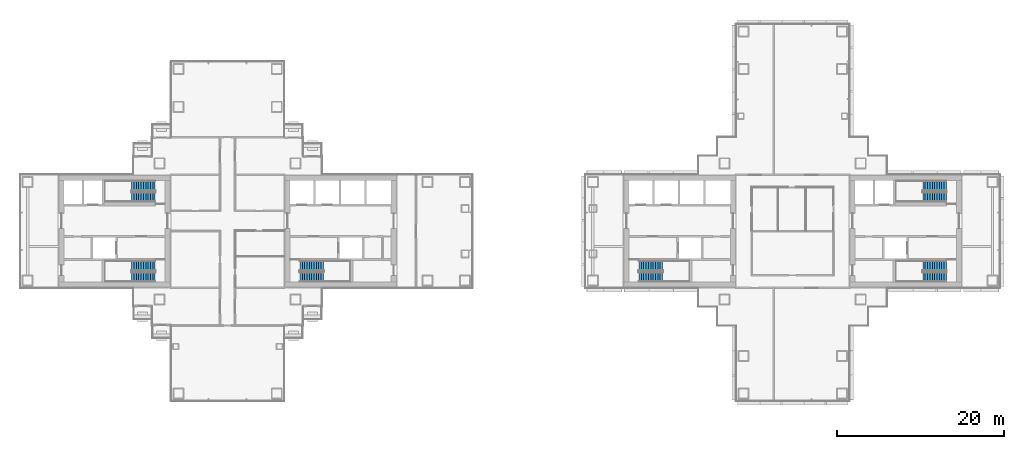
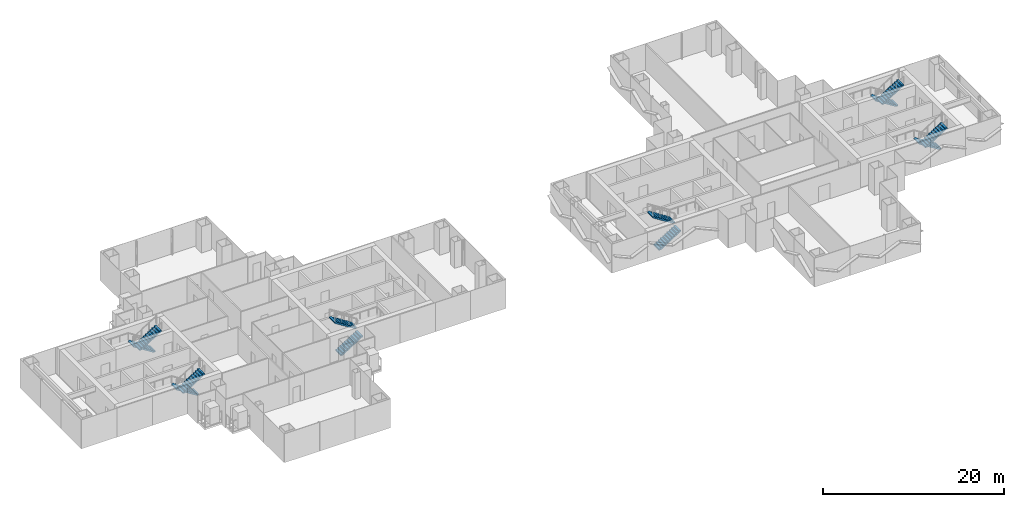
# One storey, part 16 of 20: 12 stair flights, 6 elements without a shape of their own.
"""IFC4 building model written with IfcOpenShell, lengths in metres."""

import ifcopenshell
import ifcopenshell.guid

model = None  # the IFC model being written
_history = None  # IfcOwnerHistory: only IFC2X3 demands one
_inside = {}  # id of a spatial element -> (the spatial element, [elements in it])
_under = {}  # id of a project, library or spatial element -> (it, [spatial elements below it])
_declared = {}  # id of a project -> (the project, [libraries it declares])
_typed = {}  # id of a type object -> (the type object, [elements of that type])
_made_of = {}  # id of a material, layer set ... -> (it, [elements and type objects made of it])


def new_model(schema):
    """Start an empty IFC model of exactly this schema.

    Asked for "IFC4X3", IfcOpenShell would pick the latest addendum, in which some entities
    have other attributes; the version numbers below select the first issue.
    IFC2X3 requires an IfcOwnerHistory on every rooted entity: one is made here for all.
    """
    global model, _history
    if schema == "IFC4X3":
        model = ifcopenshell.file(schema_version=(4, 3, 0, 0))
    else:
        model = ifcopenshell.file(schema=schema)
    _inside.clear()
    _under.clear()
    _declared.clear()
    _typed.clear()
    _made_of.clear()
    _history = None
    if model.schema == "IFC2X3":
        org = make("IfcOrganization", Name="unknown")
        user = make(
            "IfcPersonAndOrganization",
            ThePerson=make("IfcPerson", FamilyName="unknown"),
            TheOrganization=org,
        )
        app = make(
            "IfcApplication",
            ApplicationDeveloper=org,
            Version="unknown",
            ApplicationFullName="unknown",
            ApplicationIdentifier="unknown",
        )
        _history = make(
            "IfcOwnerHistory",
            OwningUser=user,
            OwningApplication=app,
            ChangeAction="ADDED",
            CreationDate=0,
        )
    return model


def make(cls, **values):
    """One entity of the class cls with the attributes given. An attribute that is None is left unset."""
    return model.create_entity(
        cls, **{name: value for name, value in values.items() if value is not None}
    )


def rooted(cls, **values):
    """An entity with a GlobalId (a new one), such as an element, a storey or a relation."""
    return make(cls, GlobalId=ifcopenshell.guid.new(), OwnerHistory=_history, **values)


def si_unit(unit_type, name, prefix=None):
    """IfcSIUnit, for example si_unit("LENGTHUNIT", "METRE", prefix="MILLI")."""
    return make("IfcSIUnit", UnitType=unit_type, Prefix=prefix, Name=name)


def assignment(units):
    """IfcUnitAssignment: the units of a project."""
    return None if units is None else make("IfcUnitAssignment", Units=units)


def point(xyz):
    """IfcCartesianPoint."""
    return None if xyz is None else make("IfcCartesianPoint", Coordinates=xyz)


def direction(xyz):
    """IfcDirection."""
    return None if xyz is None else make("IfcDirection", DirectionRatios=xyz)


def frame(location, z_axis=None, x_axis=None):
    """IfcAxis2Placement3D, a coordinate frame: its origin and axes. An axis left out is left unset."""
    return make(
        "IfcAxis2Placement3D",
        Location=point(location),
        Axis=direction(z_axis),
        RefDirection=direction(x_axis),
    )


def origin():
    """The frame at (0, 0, 0) with its axes left unset."""
    return frame((0.0, 0.0, 0.0))


def place(relative_to, where):
    """IfcLocalPlacement: puts the frame where relative to a parent placement (None: the world)."""
    return make(
        "IfcLocalPlacement", PlacementRelTo=relative_to, RelativePlacement=where
    )


def context(
    kind, dimensions, precision=None, world=None, true_north=None, identifier=None
):
    """IfcGeometricRepresentationContext, for example the 3D "Model" context."""
    return make(
        "IfcGeometricRepresentationContext",
        ContextIdentifier=identifier,
        ContextType=kind,
        CoordinateSpaceDimension=dimensions,
        Precision=precision,
        WorldCoordinateSystem=world,
        TrueNorth=true_north,
    )


def subcontext(parent, identifier, kind, view, scale=None):
    """IfcGeometricRepresentationSubContext, for example "Body" below "Model"."""
    return make(
        "IfcGeometricRepresentationSubContext",
        ContextIdentifier=identifier,
        ContextType=kind,
        ParentContext=parent,
        TargetScale=scale,
        TargetView=view,
    )


def project(units=None, contexts=None):
    """IfcProject with its units and contexts."""
    return rooted(
        "IfcProject",
        Name="project",
        RepresentationContexts=contexts,
        UnitsInContext=assignment(units),
    )


def spatial(cls, under=None, at=None, **own):
    """A site, building, storey or space (cls), placed at a placement, below another one or the project."""
    s = rooted(cls, ObjectPlacement=at, **own)
    if under is not None:
        _under.setdefault(under.id(), (under, []))[1].append(s)
    return s


def polyline(points):
    """IfcPolyline through the points."""
    return make("IfcPolyline", Points=[point(p) for p in points])


def outline(outer, holes=None, kind="AREA"):
    """IfcArbitraryClosedProfileDef: a profile drawn as a closed curve; with holes, ...WithVoids."""
    if holes is None:
        return make("IfcArbitraryClosedProfileDef", ProfileType=kind, OuterCurve=outer)
    return make(
        "IfcArbitraryProfileDefWithVoids",
        ProfileType=kind,
        OuterCurve=outer,
        InnerCurves=holes,
    )


def extrude(swept, where, along, depth):
    """IfcExtrudedAreaSolid: the profile swept, set in the frame where, extruded along a direction by depth."""
    return make(
        "IfcExtrudedAreaSolid",
        SweptArea=swept,
        Position=where,
        ExtrudedDirection=direction(along),
        Depth=depth,
    )


def shape(context_of_items, identifier, shape_type, items):
    """IfcShapeRepresentation: the items that make up one representation, for example the "Body"."""
    return make(
        "IfcShapeRepresentation",
        ContextOfItems=context_of_items,
        RepresentationIdentifier=identifier,
        RepresentationType=shape_type,
        Items=items,
    )


def material(Name=None, Category=None):
    """IfcMaterial."""
    return make("IfcMaterial", Name=Name, Category=Category)


def made_of(thing, what):
    """Note that an element or type object is made of a material, layer set ...; save() writes the relation."""
    if what is not None:
        _made_of.setdefault(what.id(), (what, []))[1].append(thing)
    return thing


def type_object(cls, material=None, **own):
    """A type object (cls), such as IfcWallType, which elements share."""
    return made_of(rooted(cls, **own), material)


def element(
    cls,
    number,
    at=None,
    inside=None,
    cuts=None,
    type_object=None,
    material=None,
    context=None,
    identifier="Body",
    shape_type=None,
    held_by="IfcProductDefinitionShape",
    body=None,
    shapes=None,
    **own,
):
    """One element of the class cls, such as IfcWall. Its Tag is "e" and its number.

    at: its placement. inside: the storey or other place that contains it. cuts: it is an
    opening in that element (IfcRelVoidsElement). A single representation is given by context,
    identifier, shape_type and body (its items); several are given by shapes. held_by: the class
    of the entity that holds the representations. save() writes the other relations.
    """
    e = rooted(cls, Tag="e%d" % number, ObjectPlacement=at, **own)
    if body is not None:
        shapes = [shape(context, identifier, shape_type, body)]
    if shapes is not None:
        e.Representation = make(held_by, Representations=shapes)
    if inside is not None:
        _inside.setdefault(inside.id(), (inside, []))[1].append(e)
    if cuts is not None:
        rooted(
            "IfcRelVoidsElement", RelatingBuildingElement=cuts, RelatedOpeningElement=e
        )
    if type_object is not None:
        _typed.setdefault(type_object.id(), (type_object, []))[1].append(e)
    return made_of(e, material)


def aggregate(whole, parts):
    """IfcRelAggregates: a whole, such as a stair, and the parts it consists of."""
    return rooted("IfcRelAggregates", RelatingObject=whole, RelatedObjects=parts)


def save(model, path):
    """Write the relations noted so far, then the file.

    IfcRelAggregates (storeys below a building ...), IfcRelContainedInSpatialStructure (elements
    in a storey), IfcRelDefinesByType, IfcRelAssociatesMaterial and IfcRelDeclares: one each for
    every whole, place, type object, material and project.
    """
    for whole, parts in _under.values():
        aggregate(whole, parts)
    for where, things in _inside.values():
        rooted(
            "IfcRelContainedInSpatialStructure",
            RelatedElements=things,
            RelatingStructure=where,
        )
    for kind, things in _typed.values():
        rooted("IfcRelDefinesByType", RelatedObjects=things, RelatingType=kind)
    for what, things in _made_of.values():
        rooted("IfcRelAssociatesMaterial", RelatedObjects=things, RelatingMaterial=what)
    for by, libraries in _declared.values():
        rooted("IfcRelDeclares", RelatingContext=by, RelatedDefinitions=libraries)
    model.write(path)


model = new_model("IFC4")

# Units and contexts
model_context = context("Model", 3, precision=1e-05, world=origin(), true_north=direction((0.0, 1.0)))
body_context = subcontext(model_context, "Body", "Model", "MODEL_VIEW")
ifc_project = project(units=[si_unit("LENGTHUNIT", "METRE"), si_unit("AREAUNIT", "SQUARE_METRE"), si_unit("VOLUMEUNIT", "CUBIC_METRE"), si_unit("PLANEANGLEUNIT", "RADIAN"), si_unit("MASSUNIT", "GRAM", prefix="KILO")], contexts=[model_context])

# Site, building, storey
site_placement = place(None, origin())
site = spatial("IfcSite", under=ifc_project, at=site_placement, CompositionType="ELEMENT")
building_placement = place(site_placement, origin())
building = spatial("IfcBuilding", under=site, at=building_placement, Name="Shamsa Quay Exchange Towers", CompositionType="ELEMENT")
storey_placement = place(building_placement, frame((0.0, 0.0, 105.300048828125)))
storey = spatial("IfcBuildingStorey", under=building, at=storey_placement, Name="L24", CompositionType="ELEMENT", Elevation=105.300048828125)

# Stair, stair flights
ifc_material = material(Name="Concrete C40/50", Category="concrete")
stair_type = type_object("IfcStairType", Name="EXIT STAIR 22 RISERS 177 MM", PredefinedType="HALF_TURN_STAIR", material=ifc_material)
stair_1_placement = place(storey_placement, origin())
stair_1 = element("IfcStair", 1, at=stair_1_placement, inside=storey, type_object=stair_type, Name="L24 Exit stair ST1", PredefinedType="HALF_TURN_STAIR")
stair_flight_type = type_object("IfcStairFlightType", Name="EXIT STAIR FLIGHT 11 RISERS 177 MM", PredefinedType="STRAIGHT", material=ifc_material)
stair_flight_1_placement = place(storey_placement, frame((-25.10009765625, -5.449951171875, 0.0)))
stair_flight_1 = element("IfcStairFlight", 2, at=stair_flight_1_placement, type_object=stair_flight_type, Name="ST1 flight 1", NumberOfRisers=11, NumberOfTreads=10, PredefinedType="STRAIGHT", RiserHeight=0.177272727, TreadLength=0.28, context=body_context, shape_type="SweptSolid", body=[
    extrude(outline(polyline([(0.0, 0.0), (0.0, 0.17724609375), (0.280029296875, 0.17724609375), (0.280029296875, 0.3544921875), (0.56005859375, 0.3544921875), (0.56005859375, 0.53173828125), (0.840087890625, 0.53173828125), (0.840087890625, 0.708984375), (1.1201171875, 0.708984375), (1.1201171875, 0.886474609375), (1.39990234375, 0.886474609375), (1.39990234375, 1.063720703125), (1.679931640625, 1.063720703125), (1.679931640625, 1.240966796875), (1.9599609375, 1.240966796875), (1.9599609375, 1.418212890625), (2.239990234375, 1.418212890625), (2.239990234375, 1.595458984375), (2.52001953125, 1.595458984375), (2.52001953125, 1.772705078125), (2.800048828125, 1.772705078125), (2.800048828125, 1.949951171875), (2.800048828125, 1.607177734375), (0.261474609375, 0.0), (0.0, 0.0)])), frame((0.0, 0.60009765625, 0.0), z_axis=(0.0, -1.0, 0.0), x_axis=(1.0, 0.0, 0.0)), (0.0, 0.0, 1.0), 1.199951171875),
])
stair_flight_2_placement = place(storey_placement, frame((-22.300048828125, -4.10009765625, 1.949951171875), z_axis=(0.0, 0.0, 1.0), x_axis=(-1.0, 0.0, 0.0)))
stair_flight_2 = element("IfcStairFlight", 3, at=stair_flight_2_placement, type_object=stair_flight_type, Name="ST1 flight 2", NumberOfRisers=11, NumberOfTreads=10, PredefinedType="STRAIGHT", RiserHeight=0.177272727, TreadLength=0.28, context=body_context, shape_type="SweptSolid", body=[
    extrude(outline(polyline([(0.0, 0.0), (0.0, 0.17724609375), (0.280029296875, 0.17724609375), (0.280029296875, 0.3544921875), (0.56005859375, 0.3544921875), (0.56005859375, 0.53173828125), (0.840087890625, 0.53173828125), (0.840087890625, 0.708984375), (1.1201171875, 0.708984375), (1.1201171875, 0.886474609375), (1.39990234375, 0.886474609375), (1.39990234375, 1.063720703125), (1.679931640625, 1.063720703125), (1.679931640625, 1.240966796875), (1.9599609375, 1.240966796875), (1.9599609375, 1.418212890625), (2.239990234375, 1.418212890625), (2.239990234375, 1.595458984375), (2.52001953125, 1.595458984375), (2.52001953125, 1.772705078125), (2.800048828125, 1.772705078125), (2.800048828125, 1.949951171875), (2.800048828125, 1.607177734375), (0.261474609375, 0.0), (0.0, 0.0)])), frame((0.0, 0.60009765625, 0.0), z_axis=(0.0, -1.0, 0.0), x_axis=(1.0, 0.0, 0.0)), (0.0, 0.0, 1.0), 1.199951171875),
])
aggregate(stair_1, [stair_flight_1, stair_flight_2])

stair_2_placement = place(storey_placement, origin())
stair_2 = element("IfcStair", 4, at=stair_2_placement, inside=storey, type_object=stair_type, Name="L24 Exit stair ST2", PredefinedType="HALF_TURN_STAIR")
stair_flight_3_placement = place(storey_placement, frame((-42.39990234375, -4.10009765625, 0.0), z_axis=(0.0, 0.0, 1.0), x_axis=(-1.0, 0.0, 0.0)))
stair_flight_3 = element("IfcStairFlight", 5, at=stair_flight_3_placement, type_object=stair_flight_type, Name="ST2 flight 1", NumberOfRisers=11, NumberOfTreads=10, PredefinedType="STRAIGHT", RiserHeight=0.177272727, TreadLength=0.28, context=body_context, shape_type="SweptSolid", body=[
    extrude(outline(polyline([(0.0, 0.0), (0.0, 0.17724609375), (0.280029296875, 0.17724609375), (0.280029296875, 0.3544921875), (0.56005859375, 0.3544921875), (0.56005859375, 0.53173828125), (0.840087890625, 0.53173828125), (0.840087890625, 0.708984375), (1.1201171875, 0.708984375), (1.1201171875, 0.886474609375), (1.39990234375, 0.886474609375), (1.39990234375, 1.063720703125), (1.679931640625, 1.063720703125), (1.679931640625, 1.240966796875), (1.9599609375, 1.240966796875), (1.9599609375, 1.418212890625), (2.239990234375, 1.418212890625), (2.239990234375, 1.595458984375), (2.52001953125, 1.595458984375), (2.52001953125, 1.772705078125), (2.800048828125, 1.772705078125), (2.800048828125, 1.949951171875), (2.800048828125, 1.607177734375), (0.261474609375, 0.0), (0.0, 0.0)])), frame((0.0, 0.60009765625, 0.0), z_axis=(0.0, -1.0, 0.0), x_axis=(1.0, 0.0, 0.0)), (0.0, 0.0, 1.0), 1.199951171875),
])
stair_flight_4_placement = place(storey_placement, frame((-45.199951171875, -5.449951171875, 1.949951171875)))
stair_flight_4 = element("IfcStairFlight", 6, at=stair_flight_4_placement, type_object=stair_flight_type, Name="ST2 flight 2", NumberOfRisers=11, NumberOfTreads=10, PredefinedType="STRAIGHT", RiserHeight=0.177272727, TreadLength=0.28, context=body_context, shape_type="SweptSolid", body=[
    extrude(outline(polyline([(0.0, 0.0), (0.0, 0.17724609375), (0.280029296875, 0.17724609375), (0.280029296875, 0.3544921875), (0.56005859375, 0.3544921875), (0.56005859375, 0.53173828125), (0.840087890625, 0.53173828125), (0.840087890625, 0.708984375), (1.1201171875, 0.708984375), (1.1201171875, 0.886474609375), (1.39990234375, 0.886474609375), (1.39990234375, 1.063720703125), (1.679931640625, 1.063720703125), (1.679931640625, 1.240966796875), (1.9599609375, 1.240966796875), (1.9599609375, 1.418212890625), (2.239990234375, 1.418212890625), (2.239990234375, 1.595458984375), (2.52001953125, 1.595458984375), (2.52001953125, 1.772705078125), (2.800048828125, 1.772705078125), (2.800048828125, 1.949951171875), (2.800048828125, 1.607177734375), (0.261474609375, 0.0), (0.0, 0.0)])), frame((0.0, 0.60009765625, 0.0), z_axis=(0.0, -1.0, 0.0), x_axis=(1.0, 0.0, 0.0)), (0.0, 0.0, 1.0), 1.199951171875),
])
aggregate(stair_2, [stair_flight_3, stair_flight_4])

stair_3_placement = place(storey_placement, origin())
stair_3 = element("IfcStair", 7, at=stair_3_placement, inside=storey, type_object=stair_type, Name="L24 Exit stair ST3", PredefinedType="HALF_TURN_STAIR")
stair_flight_5_placement = place(storey_placement, frame((-42.39990234375, 5.449951171875, 0.0), z_axis=(0.0, 0.0, 1.0), x_axis=(-1.0, 0.0, 0.0)))
stair_flight_5 = element("IfcStairFlight", 8, at=stair_flight_5_placement, type_object=stair_flight_type, Name="ST3 flight 1", NumberOfRisers=11, NumberOfTreads=10, PredefinedType="STRAIGHT", RiserHeight=0.177272727, TreadLength=0.28, context=body_context, shape_type="SweptSolid", body=[
    extrude(outline(polyline([(0.0, 0.0), (0.0, 0.17724609375), (0.280029296875, 0.17724609375), (0.280029296875, 0.3544921875), (0.56005859375, 0.3544921875), (0.56005859375, 0.53173828125), (0.840087890625, 0.53173828125), (0.840087890625, 0.708984375), (1.1201171875, 0.708984375), (1.1201171875, 0.886474609375), (1.39990234375, 0.886474609375), (1.39990234375, 1.063720703125), (1.679931640625, 1.063720703125), (1.679931640625, 1.240966796875), (1.9599609375, 1.240966796875), (1.9599609375, 1.418212890625), (2.239990234375, 1.418212890625), (2.239990234375, 1.595458984375), (2.52001953125, 1.595458984375), (2.52001953125, 1.772705078125), (2.800048828125, 1.772705078125), (2.800048828125, 1.949951171875), (2.800048828125, 1.607177734375), (0.261474609375, 0.0), (0.0, 0.0)])), frame((0.0, 0.60009765625, 0.0), z_axis=(0.0, -1.0, 0.0), x_axis=(1.0, 0.0, 0.0)), (0.0, 0.0, 1.0), 1.199951171875),
])
stair_flight_6_placement = place(storey_placement, frame((-45.199951171875, 4.10009765625, 1.949951171875)))
stair_flight_6 = element("IfcStairFlight", 9, at=stair_flight_6_placement, type_object=stair_flight_type, Name="ST3 flight 2", NumberOfRisers=11, NumberOfTreads=10, PredefinedType="STRAIGHT", RiserHeight=0.177272727, TreadLength=0.28, context=body_context, shape_type="SweptSolid", body=[
    extrude(outline(polyline([(0.0, 0.0), (0.0, 0.17724609375), (0.280029296875, 0.17724609375), (0.280029296875, 0.3544921875), (0.56005859375, 0.3544921875), (0.56005859375, 0.53173828125), (0.840087890625, 0.53173828125), (0.840087890625, 0.708984375), (1.1201171875, 0.708984375), (1.1201171875, 0.886474609375), (1.39990234375, 0.886474609375), (1.39990234375, 1.063720703125), (1.679931640625, 1.063720703125), (1.679931640625, 1.240966796875), (1.9599609375, 1.240966796875), (1.9599609375, 1.418212890625), (2.239990234375, 1.418212890625), (2.239990234375, 1.595458984375), (2.52001953125, 1.595458984375), (2.52001953125, 1.772705078125), (2.800048828125, 1.772705078125), (2.800048828125, 1.949951171875), (2.800048828125, 1.607177734375), (0.261474609375, 0.0), (0.0, 0.0)])), frame((0.0, 0.60009765625, 0.0), z_axis=(0.0, -1.0, 0.0), x_axis=(1.0, 0.0, 0.0)), (0.0, 0.0, 1.0), 1.199951171875),
])
aggregate(stair_3, [stair_flight_5, stair_flight_6])

stair_4_placement = place(storey_placement, origin())
stair_4 = element("IfcStair", 10, at=stair_4_placement, inside=storey, type_object=stair_type, Name="L24 Exit stair ST4", PredefinedType="HALF_TURN_STAIR")
stair_flight_7_placement = place(storey_placement, frame((15.39990234375, -5.449951171875, 0.0)))
stair_flight_7 = element("IfcStairFlight", 11, at=stair_flight_7_placement, type_object=stair_flight_type, Name="ST4 flight 1", NumberOfRisers=11, NumberOfTreads=10, PredefinedType="STRAIGHT", RiserHeight=0.177272727, TreadLength=0.28, context=body_context, shape_type="SweptSolid", body=[
    extrude(outline(polyline([(0.0, 0.0), (0.0, 0.17724609375), (0.280029296875, 0.17724609375), (0.280029296875, 0.3544921875), (0.56005859375, 0.3544921875), (0.56005859375, 0.53173828125), (0.840087890625, 0.53173828125), (0.840087890625, 0.708984375), (1.1201171875, 0.708984375), (1.1201171875, 0.886474609375), (1.39990234375, 0.886474609375), (1.39990234375, 1.063720703125), (1.679931640625, 1.063720703125), (1.679931640625, 1.240966796875), (1.9599609375, 1.240966796875), (1.9599609375, 1.418212890625), (2.239990234375, 1.418212890625), (2.239990234375, 1.595458984375), (2.52001953125, 1.595458984375), (2.52001953125, 1.772705078125), (2.800048828125, 1.772705078125), (2.800048828125, 1.949951171875), (2.800048828125, 1.607177734375), (0.261474609375, 0.0), (0.0, 0.0)])), frame((0.0, 0.60009765625, 0.0), z_axis=(0.0, -1.0, 0.0), x_axis=(1.0, 0.0, 0.0)), (0.0, 0.0, 1.0), 1.199951171875),
])
stair_flight_8_placement = place(storey_placement, frame((18.199951171875, -4.10009765625, 1.949951171875), z_axis=(0.0, 0.0, 1.0), x_axis=(-1.0, 0.0, 0.0)))
stair_flight_8 = element("IfcStairFlight", 12, at=stair_flight_8_placement, type_object=stair_flight_type, Name="ST4 flight 2", NumberOfRisers=11, NumberOfTreads=10, PredefinedType="STRAIGHT", RiserHeight=0.177272727, TreadLength=0.28, context=body_context, shape_type="SweptSolid", body=[
    extrude(outline(polyline([(0.0, 0.0), (0.0, 0.17724609375), (0.280029296875, 0.17724609375), (0.280029296875, 0.3544921875), (0.56005859375, 0.3544921875), (0.56005859375, 0.53173828125), (0.840087890625, 0.53173828125), (0.840087890625, 0.708984375), (1.1201171875, 0.708984375), (1.1201171875, 0.886474609375), (1.39990234375, 0.886474609375), (1.39990234375, 1.063720703125), (1.679931640625, 1.063720703125), (1.679931640625, 1.240966796875), (1.9599609375, 1.240966796875), (1.9599609375, 1.418212890625), (2.239990234375, 1.418212890625), (2.239990234375, 1.595458984375), (2.52001953125, 1.595458984375), (2.52001953125, 1.772705078125), (2.800048828125, 1.772705078125), (2.800048828125, 1.949951171875), (2.800048828125, 1.607177734375), (0.261474609375, 0.0), (0.0, 0.0)])), frame((0.0, 0.60009765625, 0.0), z_axis=(0.0, -1.0, 0.0), x_axis=(1.0, 0.0, 0.0)), (0.0, 0.0, 1.0), 1.199951171875),
])
aggregate(stair_4, [stair_flight_7, stair_flight_8])

stair_5_placement = place(storey_placement, origin())
stair_5 = element("IfcStair", 13, at=stair_5_placement, inside=storey, type_object=stair_type, Name="L24 Exit stair ST5", PredefinedType="HALF_TURN_STAIR")
stair_flight_9_placement = place(storey_placement, frame((52.10009765625, -4.10009765625, 0.0), z_axis=(0.0, 0.0, 1.0), x_axis=(-1.0, 0.0, 0.0)))
stair_flight_9 = element("IfcStairFlight", 14, at=stair_flight_9_placement, type_object=stair_flight_type, Name="ST5 flight 1", NumberOfRisers=11, NumberOfTreads=10, PredefinedType="STRAIGHT", RiserHeight=0.177272727, TreadLength=0.28, context=body_context, shape_type="SweptSolid", body=[
    extrude(outline(polyline([(0.0, 0.0), (0.0, 0.17724609375), (0.280029296875, 0.17724609375), (0.280029296875, 0.3544921875), (0.56005859375, 0.3544921875), (0.56005859375, 0.53173828125), (0.840087890625, 0.53173828125), (0.840087890625, 0.708984375), (1.1201171875, 0.708984375), (1.1201171875, 0.886474609375), (1.39990234375, 0.886474609375), (1.39990234375, 1.063720703125), (1.679931640625, 1.063720703125), (1.679931640625, 1.240966796875), (1.9599609375, 1.240966796875), (1.9599609375, 1.418212890625), (2.239990234375, 1.418212890625), (2.239990234375, 1.595458984375), (2.52001953125, 1.595458984375), (2.52001953125, 1.772705078125), (2.800048828125, 1.772705078125), (2.800048828125, 1.949951171875), (2.800048828125, 1.607177734375), (0.261474609375, 0.0), (0.0, 0.0)])), frame((0.0, 0.60009765625, 0.0), z_axis=(0.0, -1.0, 0.0), x_axis=(1.0, 0.0, 0.0)), (0.0, 0.0, 1.0), 1.199951171875),
])
stair_flight_10_placement = place(storey_placement, frame((49.300048828125, -5.449951171875, 1.949951171875)))
stair_flight_10 = element("IfcStairFlight", 15, at=stair_flight_10_placement, type_object=stair_flight_type, Name="ST5 flight 2", NumberOfRisers=11, NumberOfTreads=10, PredefinedType="STRAIGHT", RiserHeight=0.177272727, TreadLength=0.28, context=body_context, shape_type="SweptSolid", body=[
    extrude(outline(polyline([(0.0, 0.0), (0.0, 0.17724609375), (0.280029296875, 0.17724609375), (0.280029296875, 0.3544921875), (0.56005859375, 0.3544921875), (0.56005859375, 0.53173828125), (0.840087890625, 0.53173828125), (0.840087890625, 0.708984375), (1.1201171875, 0.708984375), (1.1201171875, 0.886474609375), (1.39990234375, 0.886474609375), (1.39990234375, 1.063720703125), (1.679931640625, 1.063720703125), (1.679931640625, 1.240966796875), (1.9599609375, 1.240966796875), (1.9599609375, 1.418212890625), (2.239990234375, 1.418212890625), (2.239990234375, 1.595458984375), (2.52001953125, 1.595458984375), (2.52001953125, 1.772705078125), (2.800048828125, 1.772705078125), (2.800048828125, 1.949951171875), (2.800048828125, 1.607177734375), (0.261474609375, 0.0), (0.0, 0.0)])), frame((0.0, 0.60009765625, 0.0), z_axis=(0.0, -1.0, 0.0), x_axis=(1.0, 0.0, 0.0)), (0.0, 0.0, 1.0), 1.199951171875),
])
aggregate(stair_5, [stair_flight_9, stair_flight_10])

stair_6_placement = place(storey_placement, origin())
stair_6 = element("IfcStair", 16, at=stair_6_placement, inside=storey, type_object=stair_type, Name="L24 Exit stair ST6", PredefinedType="HALF_TURN_STAIR")
stair_flight_11_placement = place(storey_placement, frame((52.10009765625, 5.449951171875, 0.0), z_axis=(0.0, 0.0, 1.0), x_axis=(-1.0, 0.0, 0.0)))
stair_flight_11 = element("IfcStairFlight", 17, at=stair_flight_11_placement, type_object=stair_flight_type, Name="ST6 flight 1", NumberOfRisers=11, NumberOfTreads=10, PredefinedType="STRAIGHT", RiserHeight=0.177272727, TreadLength=0.28, context=body_context, shape_type="SweptSolid", body=[
    extrude(outline(polyline([(0.0, 0.0), (0.0, 0.17724609375), (0.280029296875, 0.17724609375), (0.280029296875, 0.3544921875), (0.56005859375, 0.3544921875), (0.56005859375, 0.53173828125), (0.840087890625, 0.53173828125), (0.840087890625, 0.708984375), (1.1201171875, 0.708984375), (1.1201171875, 0.886474609375), (1.39990234375, 0.886474609375), (1.39990234375, 1.063720703125), (1.679931640625, 1.063720703125), (1.679931640625, 1.240966796875), (1.9599609375, 1.240966796875), (1.9599609375, 1.418212890625), (2.239990234375, 1.418212890625), (2.239990234375, 1.595458984375), (2.52001953125, 1.595458984375), (2.52001953125, 1.772705078125), (2.800048828125, 1.772705078125), (2.800048828125, 1.949951171875), (2.800048828125, 1.607177734375), (0.261474609375, 0.0), (0.0, 0.0)])), frame((0.0, 0.60009765625, 0.0), z_axis=(0.0, -1.0, 0.0), x_axis=(1.0, 0.0, 0.0)), (0.0, 0.0, 1.0), 1.199951171875),
])
stair_flight_12_placement = place(storey_placement, frame((49.300048828125, 4.10009765625, 1.949951171875)))
stair_flight_12 = element("IfcStairFlight", 18, at=stair_flight_12_placement, type_object=stair_flight_type, Name="ST6 flight 2", NumberOfRisers=11, NumberOfTreads=10, PredefinedType="STRAIGHT", RiserHeight=0.177272727, TreadLength=0.28, context=body_context, shape_type="SweptSolid", body=[
    extrude(outline(polyline([(0.0, 0.0), (0.0, 0.17724609375), (0.280029296875, 0.17724609375), (0.280029296875, 0.3544921875), (0.56005859375, 0.3544921875), (0.56005859375, 0.53173828125), (0.840087890625, 0.53173828125), (0.840087890625, 0.708984375), (1.1201171875, 0.708984375), (1.1201171875, 0.886474609375), (1.39990234375, 0.886474609375), (1.39990234375, 1.063720703125), (1.679931640625, 1.063720703125), (1.679931640625, 1.240966796875), (1.9599609375, 1.240966796875), (1.9599609375, 1.418212890625), (2.239990234375, 1.418212890625), (2.239990234375, 1.595458984375), (2.52001953125, 1.595458984375), (2.52001953125, 1.772705078125), (2.800048828125, 1.772705078125), (2.800048828125, 1.949951171875), (2.800048828125, 1.607177734375), (0.261474609375, 0.0), (0.0, 0.0)])), frame((0.0, 0.60009765625, 0.0), z_axis=(0.0, -1.0, 0.0), x_axis=(1.0, 0.0, 0.0)), (0.0, 0.0, 1.0), 1.199951171875),
])
aggregate(stair_6, [stair_flight_11, stair_flight_12])

save(model, "model.ifc")
